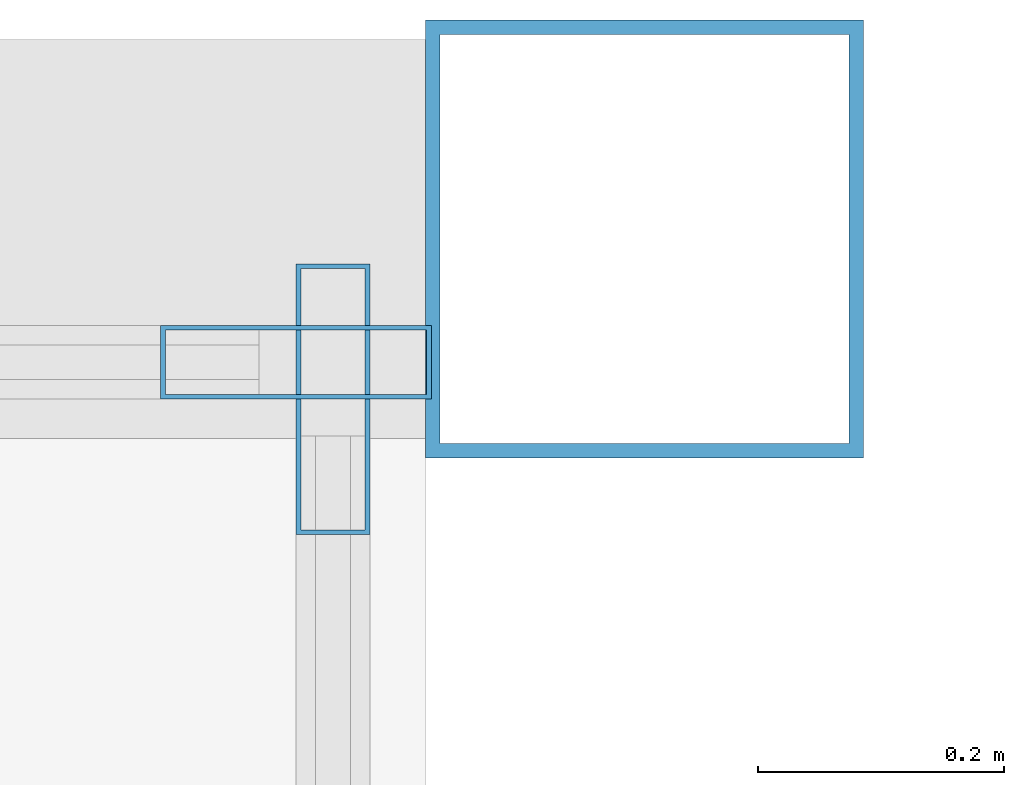
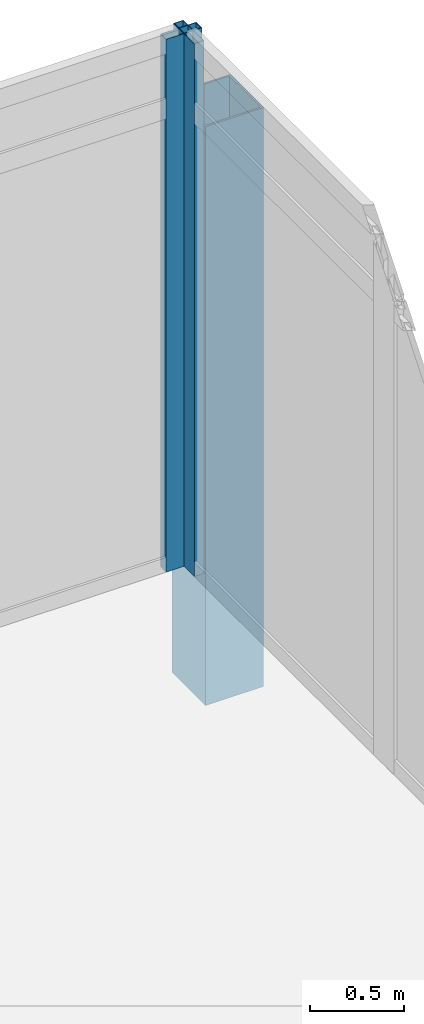
# One storey, part 25 of 37: 3 members, 2 elements without a shape of their own.
"""IFC4 building model written with IfcOpenShell, lengths in metres."""

import ifcopenshell
import ifcopenshell.guid

model = None  # the IFC model being written
_history = None  # IfcOwnerHistory: only IFC2X3 demands one
_inside = {}  # id of a spatial element -> (the spatial element, [elements in it])
_under = {}  # id of a project, library or spatial element -> (it, [spatial elements below it])
_declared = {}  # id of a project -> (the project, [libraries it declares])
_typed = {}  # id of a type object -> (the type object, [elements of that type])
_made_of = {}  # id of a material, layer set ... -> (it, [elements and type objects made of it])


def new_model(schema):
    """Start an empty IFC model of exactly this schema.

    Asked for "IFC4X3", IfcOpenShell would pick the latest addendum, in which some entities
    have other attributes; the version numbers below select the first issue.
    IFC2X3 requires an IfcOwnerHistory on every rooted entity: one is made here for all.
    """
    global model, _history
    if schema == "IFC4X3":
        model = ifcopenshell.file(schema_version=(4, 3, 0, 0))
    else:
        model = ifcopenshell.file(schema=schema)
    _inside.clear()
    _under.clear()
    _declared.clear()
    _typed.clear()
    _made_of.clear()
    _history = None
    if model.schema == "IFC2X3":
        org = make("IfcOrganization", Name="unknown")
        user = make(
            "IfcPersonAndOrganization",
            ThePerson=make("IfcPerson", FamilyName="unknown"),
            TheOrganization=org,
        )
        app = make(
            "IfcApplication",
            ApplicationDeveloper=org,
            Version="unknown",
            ApplicationFullName="unknown",
            ApplicationIdentifier="unknown",
        )
        _history = make(
            "IfcOwnerHistory",
            OwningUser=user,
            OwningApplication=app,
            ChangeAction="ADDED",
            CreationDate=0,
        )
    return model


def make(cls, **values):
    """One entity of the class cls with the attributes given. An attribute that is None is left unset."""
    return model.create_entity(
        cls, **{name: value for name, value in values.items() if value is not None}
    )


def rooted(cls, **values):
    """An entity with a GlobalId (a new one), such as an element, a storey or a relation."""
    return make(cls, GlobalId=ifcopenshell.guid.new(), OwnerHistory=_history, **values)


def si_unit(unit_type, name, prefix=None):
    """IfcSIUnit, for example si_unit("LENGTHUNIT", "METRE", prefix="MILLI")."""
    return make("IfcSIUnit", UnitType=unit_type, Prefix=prefix, Name=name)


def assignment(units):
    """IfcUnitAssignment: the units of a project."""
    return None if units is None else make("IfcUnitAssignment", Units=units)


def point(xyz):
    """IfcCartesianPoint."""
    return None if xyz is None else make("IfcCartesianPoint", Coordinates=xyz)


def direction(xyz):
    """IfcDirection."""
    return None if xyz is None else make("IfcDirection", DirectionRatios=xyz)


def frame(location, z_axis=None, x_axis=None):
    """IfcAxis2Placement3D, a coordinate frame: its origin and axes. An axis left out is left unset."""
    return make(
        "IfcAxis2Placement3D",
        Location=point(location),
        Axis=direction(z_axis),
        RefDirection=direction(x_axis),
    )


def frame_2d(location, x_axis=None):
    """IfcAxis2Placement2D, a coordinate frame in the plane: its origin and x axis."""
    return make(
        "IfcAxis2Placement2D", Location=point(location), RefDirection=direction(x_axis)
    )


def origin():
    """The frame at (0, 0, 0) with its axes left unset."""
    return frame((0.0, 0.0, 0.0))


def origin_2d():
    """The frame at (0, 0) in the plane with its x axis left unset."""
    return frame_2d((0.0, 0.0))


def place(relative_to, where):
    """IfcLocalPlacement: puts the frame where relative to a parent placement (None: the world)."""
    return make(
        "IfcLocalPlacement", PlacementRelTo=relative_to, RelativePlacement=where
    )


def context(
    kind, dimensions, precision=None, world=None, true_north=None, identifier=None
):
    """IfcGeometricRepresentationContext, for example the 3D "Model" context."""
    return make(
        "IfcGeometricRepresentationContext",
        ContextIdentifier=identifier,
        ContextType=kind,
        CoordinateSpaceDimension=dimensions,
        Precision=precision,
        WorldCoordinateSystem=world,
        TrueNorth=true_north,
    )


def subcontext(parent, identifier, kind, view, scale=None):
    """IfcGeometricRepresentationSubContext, for example "Body" below "Model"."""
    return make(
        "IfcGeometricRepresentationSubContext",
        ContextIdentifier=identifier,
        ContextType=kind,
        ParentContext=parent,
        TargetScale=scale,
        TargetView=view,
    )


def project(units=None, contexts=None):
    """IfcProject with its units and contexts."""
    return rooted(
        "IfcProject",
        Name="project",
        RepresentationContexts=contexts,
        UnitsInContext=assignment(units),
    )


def spatial(cls, under=None, at=None, **own):
    """A site, building, storey or space (cls), placed at a placement, below another one or the project."""
    s = rooted(cls, ObjectPlacement=at, **own)
    if under is not None:
        _under.setdefault(under.id(), (under, []))[1].append(s)
    return s


def profile(cls, at=None, kind="AREA", **sizes):
    """A parametric profile (cls). Its sizes go by their IFC names, for example OverallWidth=200.0."""
    return make(cls, ProfileType=kind, Position=at, **sizes)


def hollow_rectangle(**sizes):
    """IfcRectangleHollowProfileDef."""
    return profile("IfcRectangleHollowProfileDef", **sizes)


def extrude(swept, where, along, depth):
    """IfcExtrudedAreaSolid: the profile swept, set in the frame where, extruded along a direction by depth."""
    return make(
        "IfcExtrudedAreaSolid",
        SweptArea=swept,
        Position=where,
        ExtrudedDirection=direction(along),
        Depth=depth,
    )


def shape(context_of_items, identifier, shape_type, items):
    """IfcShapeRepresentation: the items that make up one representation, for example the "Body"."""
    return make(
        "IfcShapeRepresentation",
        ContextOfItems=context_of_items,
        RepresentationIdentifier=identifier,
        RepresentationType=shape_type,
        Items=items,
    )


def material(Name=None, Category=None):
    """IfcMaterial."""
    return make("IfcMaterial", Name=Name, Category=Category)


def material_profile(
    of_material, cross_section, Name=None, Category=None, Priority=None
):
    """IfcMaterialProfile: a cross section and its material."""
    return make(
        "IfcMaterialProfile",
        Name=Name,
        Material=of_material,
        Profile=cross_section,
        Priority=Priority,
        Category=Category,
    )


def profile_set(profiles, Name=None, composite=None):
    """IfcMaterialProfileSet."""
    return make(
        "IfcMaterialProfileSet",
        Name=Name,
        MaterialProfiles=profiles,
        CompositeProfile=composite,
    )


def made_of(thing, what):
    """Note that an element or type object is made of a material, layer set ...; save() writes the relation."""
    if what is not None:
        _made_of.setdefault(what.id(), (what, []))[1].append(thing)
    return thing


def type_object(cls, material=None, **own):
    """A type object (cls), such as IfcWallType, which elements share."""
    return made_of(rooted(cls, **own), material)


def element(
    cls,
    number,
    at=None,
    inside=None,
    cuts=None,
    type_object=None,
    material=None,
    context=None,
    identifier="Body",
    shape_type=None,
    held_by="IfcProductDefinitionShape",
    body=None,
    shapes=None,
    **own,
):
    """One element of the class cls, such as IfcWall. Its Tag is "e" and its number.

    at: its placement. inside: the storey or other place that contains it. cuts: it is an
    opening in that element (IfcRelVoidsElement). A single representation is given by context,
    identifier, shape_type and body (its items); several are given by shapes. held_by: the class
    of the entity that holds the representations. save() writes the other relations.
    """
    e = rooted(cls, Tag="e%d" % number, ObjectPlacement=at, **own)
    if body is not None:
        shapes = [shape(context, identifier, shape_type, body)]
    if shapes is not None:
        e.Representation = make(held_by, Representations=shapes)
    if inside is not None:
        _inside.setdefault(inside.id(), (inside, []))[1].append(e)
    if cuts is not None:
        rooted(
            "IfcRelVoidsElement", RelatingBuildingElement=cuts, RelatedOpeningElement=e
        )
    if type_object is not None:
        _typed.setdefault(type_object.id(), (type_object, []))[1].append(e)
    return made_of(e, material)


def aggregate(whole, parts):
    """IfcRelAggregates: a whole, such as a stair, and the parts it consists of."""
    return rooted("IfcRelAggregates", RelatingObject=whole, RelatedObjects=parts)


def save(model, path):
    """Write the relations noted so far, then the file.

    IfcRelAggregates (storeys below a building ...), IfcRelContainedInSpatialStructure (elements
    in a storey), IfcRelDefinesByType, IfcRelAssociatesMaterial and IfcRelDeclares: one each for
    every whole, place, type object, material and project.
    """
    for whole, parts in _under.values():
        aggregate(whole, parts)
    for where, things in _inside.values():
        rooted(
            "IfcRelContainedInSpatialStructure",
            RelatedElements=things,
            RelatingStructure=where,
        )
    for kind, things in _typed.values():
        rooted("IfcRelDefinesByType", RelatedObjects=things, RelatingType=kind)
    for what, things in _made_of.values():
        rooted("IfcRelAssociatesMaterial", RelatedObjects=things, RelatingMaterial=what)
    for by, libraries in _declared.values():
        rooted("IfcRelDeclares", RelatingContext=by, RelatedDefinitions=libraries)
    model.write(path)


model = new_model("IFC4")

# Units and contexts
model_context = context("Model", 3, precision=1e-05, world=origin(), true_north=direction((0.0, 1.0)))
body_context = subcontext(model_context, "Body", "Model", "MODEL_VIEW")
ifc_project = project(units=[si_unit("LENGTHUNIT", "METRE"), si_unit("AREAUNIT", "SQUARE_METRE"), si_unit("VOLUMEUNIT", "CUBIC_METRE"), si_unit("PLANEANGLEUNIT", "RADIAN"), si_unit("MASSUNIT", "GRAM", prefix="KILO")], contexts=[model_context])

# Site, building, storey
site_placement = place(None, origin())
site = spatial("IfcSite", under=ifc_project, at=site_placement, CompositionType="ELEMENT")
building_placement = place(site_placement, origin())
building = spatial("IfcBuilding", under=site, at=building_placement, Name="Ostrander Bayou Hotel Tower", CompositionType="ELEMENT")
storey_placement = place(building_placement, frame((0.0, 0.0, 198.25)))
storey = spatial("IfcBuildingStorey", under=building, at=storey_placement, Name="L49", CompositionType="ELEMENT", Elevation=198.25)

# Curtain wall, member
ifc_material_1 = material(Name="Aluminium and clear glass", Category="aluminium")
curtain_wall_type = type_object("IfcCurtainWallType", Name="CW-BAR glazed wall", PredefinedType="NOTDEFINED", material=ifc_material_1)
curtain_wall_1_placement = place(storey_placement, origin())
curtain_wall_1 = element("IfcCurtainWall", 1, at=curtain_wall_1_placement, inside=storey, type_object=curtain_wall_type, Name="CW-BAR L49:SB4N:T", PredefinedType="NOTDEFINED")
ifc_material_2 = material(Name="Aluminium", Category="aluminium")
ifc_material_profile_1 = material_profile(ifc_material_2, hollow_rectangle(XDim=0.06005859375, YDim=0.219970703125, WallThickness=0.00390625, at=origin_2d()))
ifc_profile_set_1 = profile_set([ifc_material_profile_1], Name="Aluminium")
member_type_1 = type_object("IfcMemberType", Name="CW-BR mullion 60 x 220 mm", PredefinedType="MULLION", material=ifc_profile_set_1)
member_1_placement = place(storey_placement, frame((11.8271484375, 27.916015625, 0.0), z_axis=(0.0, 0.0, 1.0), x_axis=(0.0, 1.0, 0.0)))
member_1 = element("IfcMember", 2, at=member_1_placement, type_object=member_type_1, Name="CW-BAR mullion 12", PredefinedType="MULLION", context=body_context, shape_type="SweptSolid", body=[
    extrude(hollow_rectangle(XDim=0.06005859375, YDim=0.219970703125, WallThickness=0.00390625, at=origin_2d()), origin(), (0.0, 0.0, 1.0), 3.449951171875),
])
aggregate(curtain_wall_1, [member_1])

curtain_wall_2_placement = place(storey_placement, origin())
curtain_wall_2 = element("IfcCurtainWall", 3, at=curtain_wall_2_placement, inside=storey, type_object=curtain_wall_type, Name="CW-BAR L49:SB4N:W", PredefinedType="NOTDEFINED")
member_2_placement = place(storey_placement, frame((11.857177734375, 27.885986328125, 0.0), z_axis=(0.0, 0.0, 1.0), x_axis=(-1.0, 0.0, 0.0)))
member_2 = element("IfcMember", 4, at=member_2_placement, type_object=member_type_1, Name="CW-BAR mullion 10", PredefinedType="MULLION", context=body_context, shape_type="SweptSolid", body=[
    extrude(hollow_rectangle(XDim=0.06005859375, YDim=0.219970703125, WallThickness=0.00390625, at=origin_2d()), origin(), (0.0, 0.0, 1.0), 3.449951171875),
])
aggregate(curtain_wall_2, [member_2])

# Member
ifc_material_3 = material(Name="Steel ASTM A500 Gr C", Category="steel")
ifc_material_profile_2 = material_profile(ifc_material_3, hollow_rectangle(XDim=0.355712890625, YDim=0.355712890625, WallThickness=0.01171875, at=origin_2d()))
ifc_profile_set_2 = profile_set([ifc_material_profile_2], Name="Steel ASTM A500 Gr C")
member_type_2 = type_object("IfcMemberType", Name="TH2 bar hanger HSS14x14x1/2", PredefinedType="POST", material=ifc_profile_set_2)
member_3_placement = place(storey_placement, frame((12.110107421875, 28.01611328125, -0.9111328125), z_axis=(0.0, 0.0, 1.0), x_axis=(1.0, 0.0, 0.0)))
element("IfcMember", 5, at=member_3_placement, inside=storey, type_object=member_type_2, Name="TH2 SB4WB H1-2", PredefinedType="POST", context=body_context, shape_type="SweptSolid", body=[
    extrude(hollow_rectangle(XDim=0.355712890625, YDim=0.355712890625, WallThickness=0.01171875, at=origin_2d()), origin(), (0.0, 0.0, 1.0), 3.75),
])

save(model, "model.ifc")
